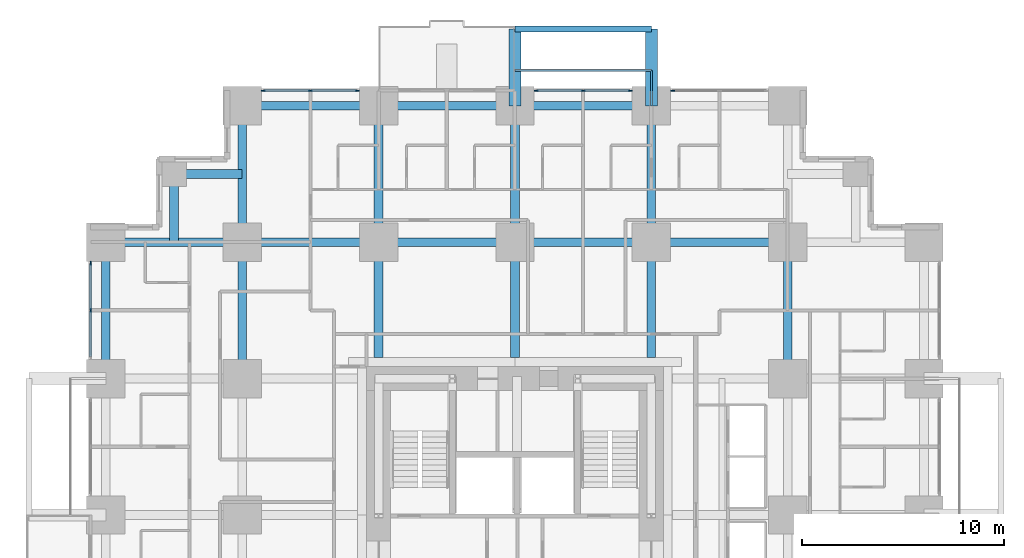
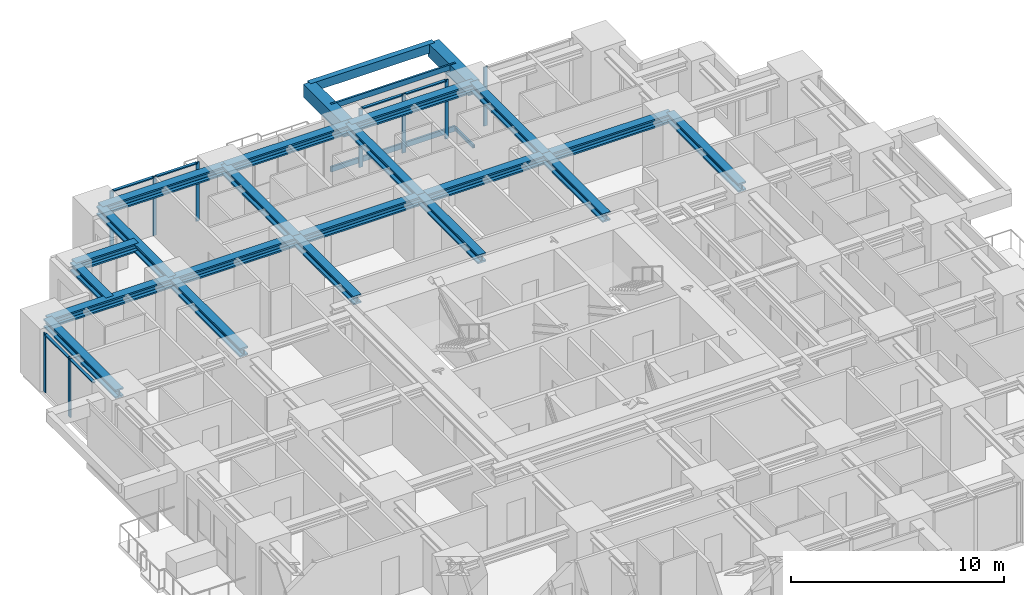
# One storey, part 5 of 15: 23 beams, 18 members, 4 elements without a shape of their own.
"""IFC4 building model written with IfcOpenShell, lengths in metres."""

from ifc_helpers import new_model, si_unit, direction, frame, origin, origin_2d, place, context, subcontext, project, spatial, rectangle, hollow_rectangle, i_section, extrude, material, material_profile, profile_set, type_object, element, aggregate, save


model = new_model("IFC4")

# Units and contexts
model_context = context("Model", 3, precision=1e-05, world=origin(), true_north=direction((0.0, 1.0)))
body_context = subcontext(model_context, "Body", "Model", "MODEL_VIEW")
ifc_project = project(units=[si_unit("LENGTHUNIT", "METRE"), si_unit("AREAUNIT", "SQUARE_METRE"), si_unit("VOLUMEUNIT", "CUBIC_METRE"), si_unit("PLANEANGLEUNIT", "RADIAN"), si_unit("MASSUNIT", "GRAM", prefix="KILO")], contexts=[model_context])

# Site, building, storey
site_placement = place(None, origin())
site = spatial("IfcSite", under=ifc_project, at=site_placement, CompositionType="ELEMENT")
building_placement = place(site_placement, origin())
building = spatial("IfcBuilding", under=site, at=building_placement, Name="Nyansa Garden Tower", CompositionType="ELEMENT")
storey_placement = place(building_placement, frame((0.0, 0.0, 25.199951171875)))
storey = spatial("IfcBuildingStorey", under=building, at=storey_placement, Name="L06", CompositionType="ELEMENT", Elevation=25.199951171875)

# Beams
ifc_material_1 = material(Name="Concrete C70/85", Category="concrete")
ifc_material_profile_1 = material_profile(ifc_material_1, rectangle(XDim=0.60009765625, YDim=0.75, at=origin_2d()), Name="RC 600x750")
ifc_profile_set_1 = profile_set([ifc_material_profile_1], Name="Concrete C70/85")
beam_type_1 = type_object("IfcBeamType", Name="Balcony cantilever beam CB1 RC 600x750", PredefinedType="BEAM", material=ifc_profile_set_1)
for number, where, z_axis, x_axis, name in (
    (1, (20.25, 40.5, 2.985107421875), (0.0, 1.0, 0.0), (-1.0, 0.0, 0.0), "Balcony cantilever beam L07"),
    (2, (27.0, 40.5, 2.985107421875), (0.0, 1.0, 0.0), (-1.0, 0.0, 0.0), "Balcony cantilever beam L07"),
):
    element("IfcBeam", number, at=place(storey_placement, frame(where, z_axis=z_axis, x_axis=x_axis)), inside=storey, type_object=beam_type_1, Name=name, PredefinedType="BEAM", context=body_context, shape_type="SweptSolid", body=[
        extrude(rectangle(XDim=0.60009765625, YDim=0.75, at=origin_2d()), origin(), (0.0, 0.0, 1.0), 3.800048828125),
    ])
ifc_material_2 = material(Name="Concrete C70/85", Category="concrete")
ifc_material_profile_2 = material_profile(ifc_material_2, rectangle(XDim=0.300048828125, YDim=0.5, at=origin_2d()), Name="RC 300x500")
ifc_profile_set_2 = profile_set([ifc_material_profile_2], Name="Concrete C70/85")
beam_type_2 = type_object("IfcBeamType", Name="Balcony edge beam BE1 RC 300x500", PredefinedType="BEAM", material=ifc_profile_set_2)
beam_1_placement = place(storey_placement, frame((20.25, 44.300048828125, 3.110107421875), z_axis=(1.0, 0.0, 0.0), x_axis=(0.0, 1.0, 0.0)))
element("IfcBeam", 3, at=beam_1_placement, inside=storey, type_object=beam_type_2, Name="Balcony edge beam L07", PredefinedType="BEAM", context=body_context, shape_type="SweptSolid", body=[
    extrude(rectangle(XDim=0.300048828125, YDim=0.5, at=origin_2d()), origin(), (0.0, 0.0, 1.0), 6.75),
])

# Curtain wall, members
ifc_material_3 = material(Name="Black anodised aluminium, dark tinted double glazing", Category="aluminium")
curtain_wall_type = type_object("IfcCurtainWallType", Name="Inner skin curtain wall ISW-A", PredefinedType="USERDEFINED", material=ifc_material_3)
curtain_wall_1_placement = place(storey_placement, origin())
curtain_wall_1 = element("IfcCurtainWall", 4, at=curtain_wall_1_placement, inside=storey, type_object=curtain_wall_type, Name="Inner skin curtain wall L06 N", ObjectType="UNITISED CURTAIN WALL", PredefinedType="USERDEFINED")
ifc_material_4 = material(Name="Black anodised aluminium", Category="aluminium")
ifc_material_profile_3 = material_profile(ifc_material_4, rectangle(XDim=0.06494140625, YDim=0.199951171875, at=origin_2d()), Name="Mullion 200x65")
ifc_profile_set_3 = profile_set([ifc_material_profile_3], Name="Black anodised aluminium")
member_type_1 = type_object("IfcMemberType", Name="Mullion ISW-A 200x65", PredefinedType="MULLION", material=ifc_profile_set_3)
member_1_placement = place(storey_placement, frame((12.449951171875, 41.25, 0.0), z_axis=(0.0, 0.0, 1.0), x_axis=(0.0, -1.0, 0.0)))
member_1 = element("IfcMember", 5, at=member_1_placement, type_object=member_type_1, Name="ISW-A mullion 1", PredefinedType="MULLION", context=body_context, shape_type="SweptSolid", body=[
    extrude(rectangle(XDim=0.06494140625, YDim=0.199951171875, at=origin_2d()), origin(), (0.0, 0.0, 1.0), 3.375),
])
member_2_placement = place(storey_placement, frame((10.125, 41.25, 0.0), z_axis=(0.0, 0.0, 1.0), x_axis=(0.0, -1.0, 0.0)))
member_2 = element("IfcMember", 6, at=member_2_placement, type_object=member_type_1, Name="ISW-A mullion 2", PredefinedType="MULLION", context=body_context, shape_type="SweptSolid", body=[
    extrude(rectangle(XDim=0.06494140625, YDim=0.199951171875, at=origin_2d()), origin(), (0.0, 0.0, 1.0), 3.375),
])
member_3_placement = place(storey_placement, frame((7.800048828125, 41.25, 0.0), z_axis=(0.0, 0.0, 1.0), x_axis=(0.0, -1.0, 0.0)))
member_3 = element("IfcMember", 7, at=member_3_placement, type_object=member_type_1, Name="ISW-A mullion 3", PredefinedType="MULLION", context=body_context, shape_type="SweptSolid", body=[
    extrude(rectangle(XDim=0.06494140625, YDim=0.199951171875, at=origin_2d()), origin(), (0.0, 0.0, 1.0), 3.375),
])

# Curtain wall, member
curtain_wall_2_placement = place(storey_placement, origin())
curtain_wall_2 = element("IfcCurtainWall", 8, at=curtain_wall_2_placement, inside=storey, type_object=curtain_wall_type, Name="Inner skin curtain wall L06 N", ObjectType="UNITISED CURTAIN WALL", PredefinedType="USERDEFINED")
member_4_placement = place(storey_placement, frame((28.050048828125, 41.25, 0.0), z_axis=(0.0, 0.0, 1.0), x_axis=(0.0, -1.0, 0.0)))
member_4 = element("IfcMember", 9, at=member_4_placement, type_object=member_type_1, Name="ISW-A mullion 3", PredefinedType="MULLION", context=body_context, shape_type="SweptSolid", body=[
    extrude(rectangle(XDim=0.06494140625, YDim=0.199951171875, at=origin_2d()), origin(), (0.0, 0.0, 1.0), 3.375),
])
aggregate(curtain_wall_2, [member_4])

# Curtain wall, members
curtain_wall_3_placement = place(storey_placement, origin())
curtain_wall_3 = element("IfcCurtainWall", 10, at=curtain_wall_3_placement, inside=storey, type_object=curtain_wall_type, Name="Inner skin curtain wall L06 N", ObjectType="UNITISED CURTAIN WALL", PredefinedType="USERDEFINED")
member_5_placement = place(storey_placement, frame((25.949951171875, 41.25, 0.0), z_axis=(0.0, 0.0, 1.0), x_axis=(0.0, -1.0, 0.0)))
member_5 = element("IfcMember", 11, at=member_5_placement, type_object=member_type_1, Name="ISW-A mullion 1", PredefinedType="MULLION", context=body_context, shape_type="SweptSolid", body=[
    extrude(rectangle(XDim=0.06494140625, YDim=0.199951171875, at=origin_2d()), origin(), (0.0, 0.0, 1.0), 3.375),
])
member_6_placement = place(storey_placement, frame((23.625, 41.25, 0.0), z_axis=(0.0, 0.0, 1.0), x_axis=(0.0, -1.0, 0.0)))
member_6 = element("IfcMember", 12, at=member_6_placement, type_object=member_type_1, Name="ISW-A mullion 2", PredefinedType="MULLION", context=body_context, shape_type="SweptSolid", body=[
    extrude(rectangle(XDim=0.06494140625, YDim=0.199951171875, at=origin_2d()), origin(), (0.0, 0.0, 1.0), 3.375),
])
member_7_placement = place(storey_placement, frame((21.300048828125, 41.25, 0.0), z_axis=(0.0, 0.0, 1.0), x_axis=(0.0, -1.0, 0.0)))
member_7 = element("IfcMember", 13, at=member_7_placement, type_object=member_type_1, Name="ISW-A mullion 3", PredefinedType="MULLION", context=body_context, shape_type="SweptSolid", body=[
    extrude(rectangle(XDim=0.06494140625, YDim=0.199951171875, at=origin_2d()), origin(), (0.0, 0.0, 1.0), 3.375),
])

curtain_wall_4_placement = place(storey_placement, origin())
curtain_wall_4 = element("IfcCurtainWall", 14, at=curtain_wall_4_placement, inside=storey, type_object=curtain_wall_type, Name="Inner skin curtain wall L06 W", ObjectType="UNITISED CURTAIN WALL", PredefinedType="USERDEFINED")
member_8_placement = place(storey_placement, frame((-0.75, 32.699951171875, 0.0), z_axis=(0.0, 0.0, 1.0), x_axis=(1.0, 0.0, 0.0)))
member_8 = element("IfcMember", 15, at=member_8_placement, type_object=member_type_1, Name="ISW-A mullion 1", PredefinedType="MULLION", context=body_context, shape_type="SweptSolid", body=[
    extrude(rectangle(XDim=0.06494140625, YDim=0.199951171875, at=origin_2d()), origin(), (0.0, 0.0, 1.0), 3.375),
])
member_9_placement = place(storey_placement, frame((-0.75, 30.375, 0.0), z_axis=(0.0, 0.0, 1.0), x_axis=(1.0, 0.0, 0.0)))
member_9 = element("IfcMember", 16, at=member_9_placement, type_object=member_type_1, Name="ISW-A mullion 2", PredefinedType="MULLION", context=body_context, shape_type="SweptSolid", body=[
    extrude(rectangle(XDim=0.06494140625, YDim=0.199951171875, at=origin_2d()), origin(), (0.0, 0.0, 1.0), 3.375),
])

# Members
ifc_material_5 = material(Name="Steel S355, black powder coated", Category="steel")
ifc_material_profile_4 = material_profile(ifc_material_5, hollow_rectangle(XDim=0.10009765625, YDim=0.199951171875, WallThickness=0.008056640625, at=origin_2d()), Name="RHS 200x100x8")
ifc_profile_set_4 = profile_set([ifc_material_profile_4], Name="Steel S355, black powder coated")
member_type_2 = type_object("IfcMemberType", Name="Outer skin bracket arm RHS 200x100x8", PredefinedType="USERDEFINED", material=ifc_profile_set_4)
member_10_placement = place(storey_placement, frame((27.0, 40.5, -0.375), z_axis=(0.0, 1.0, 0.0), x_axis=(-1.0, 0.0, 0.0)))
element("IfcMember", 17, at=member_10_placement, inside=storey, type_object=member_type_2, Name="Outer skin bracket arm", ObjectType="OUTER SKIN BRACKET", PredefinedType="USERDEFINED", context=body_context, shape_type="SweptSolid", body=[
    extrude(hollow_rectangle(XDim=0.10009765625, YDim=0.199951171875, WallThickness=0.008056640625, at=origin_2d()), origin(), (0.0, 0.0, 1.0), 1.75),
])
ifc_material_6 = material(Name="Steel S355, black powder coated", Category="steel")
ifc_material_profile_5 = material_profile(ifc_material_6, hollow_rectangle(XDim=0.10009765625, YDim=0.300048828125, WallThickness=0.010009765625, at=origin_2d()), Name="RHS 300x100x10")
ifc_profile_set_5 = profile_set([ifc_material_profile_5], Name="Steel S355, black powder coated")
member_type_3 = type_object("IfcMemberType", Name="Outer skin rail RHS 300x100x10", PredefinedType="USERDEFINED", material=ifc_profile_set_5)
for number, where, z_axis, x_axis, name in (
    (18, (20.25, 42.25, -0.375), (1.0, 0.0, 0.0), (0.0, 1.0, 0.0), "Outer skin rail L06"),
    (19, (20.25, 42.25, 3.22509765625), (1.0, 0.0, 0.0), (0.0, 1.0, 0.0), "Outer skin rail L06 head"),
):
    element("IfcMember", number, at=place(storey_placement, frame(where, z_axis=z_axis, x_axis=x_axis)), inside=storey, type_object=member_type_3, Name=name, ObjectType="OUTER SKIN RAIL", PredefinedType="USERDEFINED", context=body_context, shape_type="SweptSolid", body=[
        extrude(hollow_rectangle(XDim=0.10009765625, YDim=0.300048828125, WallThickness=0.010009765625, at=origin_2d()), origin(), (0.0, 0.0, 1.0), 6.75),
    ])

# Beams
ifc_material_7 = material(Name="Steel S355", Category="steel")
ifc_material_profile_6 = material_profile(ifc_material_7, i_section(OverallWidth=0.431884765625, OverallDepth=0.498046875, WebThickness=0.0556640625, FlangeThickness=0.0888671875, FilletRadius=0.014892578125, at=origin_2d()), Name="HD 400x744")
ifc_profile_set_6 = profile_set([ifc_material_profile_6], Name="Steel S355")
beam_type_3 = type_object("IfcBeamType", Name="Steel beam SBA1-744 HD 400x744", PredefinedType="BEAM", material=ifc_profile_set_6)
for number, where, z_axis, x_axis, name in (
    (20, (0.0, 33.75, 3.1259765625), (1.0, 0.0, 0.0), (0.0, 1.0, 0.0), "Steel beam 2/J-3/J L07"),
    (21, (6.75, 27.0, 3.1259765625), (0.0, 1.0, 0.0), (-1.0, 0.0, 0.0), "Steel beam 3/H-3/J L07"),
    (22, (6.75, 33.75, 3.1259765625), (0.0, 1.0, 0.0), (-1.0, 0.0, 0.0), "Steel beam 3/J-3/K L07"),
    (23, (6.75, 33.75, 3.1259765625), (1.0, 0.0, 0.0), (0.0, 1.0, 0.0), "Steel beam 3/J-4/J L07"),
):
    element("IfcBeam", number, at=place(storey_placement, frame(where, z_axis=z_axis, x_axis=x_axis)), inside=storey, type_object=beam_type_3, Name=name, PredefinedType="BEAM", context=body_context, shape_type="SweptSolid", body=[
        extrude(i_section(OverallWidth=0.431884765625, OverallDepth=0.498046875, WebThickness=0.0556640625, FlangeThickness=0.0888671875, FilletRadius=0.014892578125, at=origin_2d()), origin(), (0.0, 0.0, 1.0), 6.75),
    ])
beam_2_placement = place(storey_placement, frame((13.5, 28.050048828125, 3.1259765625), z_axis=(0.0, 1.0, 0.0), x_axis=(-1.0, 0.0, 0.0)))
element("IfcBeam", 24, at=beam_2_placement, inside=storey, type_object=beam_type_3, Name="Steel beam 4/28.050-4/J L07", PredefinedType="BEAM", context=body_context, shape_type="SweptSolid", body=[
    extrude(i_section(OverallWidth=0.431884765625, OverallDepth=0.498046875, WebThickness=0.0556640625, FlangeThickness=0.0888671875, FilletRadius=0.014892578125, at=origin_2d()), origin(), (0.0, 0.0, 1.0), 5.699951171875),
])
for number, where, z_axis, x_axis, name in (
    (25, (13.5, 33.75, 3.1259765625), (0.0, 1.0, 0.0), (-1.0, 0.0, 0.0), "Steel beam 4/J-4/K L07"),
    (26, (13.5, 33.75, 3.1259765625), (1.0, 0.0, 0.0), (0.0, 1.0, 0.0), "Steel beam 4/J-5/J L07"),
):
    element("IfcBeam", number, at=place(storey_placement, frame(where, z_axis=z_axis, x_axis=x_axis)), inside=storey, type_object=beam_type_3, Name=name, PredefinedType="BEAM", context=body_context, shape_type="SweptSolid", body=[
        extrude(i_section(OverallWidth=0.431884765625, OverallDepth=0.498046875, WebThickness=0.0556640625, FlangeThickness=0.0888671875, FilletRadius=0.014892578125, at=origin_2d()), origin(), (0.0, 0.0, 1.0), 6.75),
    ])
beam_3_placement = place(storey_placement, frame((20.25, 28.050048828125, 3.1259765625), z_axis=(0.0, 1.0, 0.0), x_axis=(-1.0, 0.0, 0.0)))
element("IfcBeam", 27, at=beam_3_placement, inside=storey, type_object=beam_type_3, Name="Steel beam 5/28.050-5/J L07", PredefinedType="BEAM", context=body_context, shape_type="SweptSolid", body=[
    extrude(i_section(OverallWidth=0.431884765625, OverallDepth=0.498046875, WebThickness=0.0556640625, FlangeThickness=0.0888671875, FilletRadius=0.014892578125, at=origin_2d()), origin(), (0.0, 0.0, 1.0), 5.699951171875),
])
for number, where, z_axis, x_axis, name in (
    (28, (20.25, 33.75, 3.1259765625), (0.0, 1.0, 0.0), (-1.0, 0.0, 0.0), "Steel beam 5/J-5/K L07"),
    (29, (20.25, 33.75, 3.1259765625), (1.0, 0.0, 0.0), (0.0, 1.0, 0.0), "Steel beam 5/J-6/J L07"),
):
    element("IfcBeam", number, at=place(storey_placement, frame(where, z_axis=z_axis, x_axis=x_axis)), inside=storey, type_object=beam_type_3, Name=name, PredefinedType="BEAM", context=body_context, shape_type="SweptSolid", body=[
        extrude(i_section(OverallWidth=0.431884765625, OverallDepth=0.498046875, WebThickness=0.0556640625, FlangeThickness=0.0888671875, FilletRadius=0.014892578125, at=origin_2d()), origin(), (0.0, 0.0, 1.0), 6.75),
    ])
beam_4_placement = place(storey_placement, frame((27.0, 28.050048828125, 3.1259765625), z_axis=(0.0, 1.0, 0.0), x_axis=(-1.0, 0.0, 0.0)))
element("IfcBeam", 30, at=beam_4_placement, inside=storey, type_object=beam_type_3, Name="Steel beam 6/28.050-6/J L07", PredefinedType="BEAM", context=body_context, shape_type="SweptSolid", body=[
    extrude(i_section(OverallWidth=0.431884765625, OverallDepth=0.498046875, WebThickness=0.0556640625, FlangeThickness=0.0888671875, FilletRadius=0.014892578125, at=origin_2d()), origin(), (0.0, 0.0, 1.0), 5.699951171875),
])
for number, where, z_axis, x_axis, name in (
    (31, (27.0, 33.75, 3.1259765625), (0.0, 1.0, 0.0), (-1.0, 0.0, 0.0), "Steel beam 6/J-6/K L07"),
    (32, (27.0, 33.75, 3.1259765625), (1.0, 0.0, 0.0), (0.0, 1.0, 0.0), "Steel beam 6/J-7/J L07"),
    (33, (33.75, 27.0, 3.1259765625), (0.0, 1.0, 0.0), (-1.0, 0.0, 0.0), "Steel beam 7/H-7/J L07"),
):
    element("IfcBeam", number, at=place(storey_placement, frame(where, z_axis=z_axis, x_axis=x_axis)), inside=storey, type_object=beam_type_3, Name=name, PredefinedType="BEAM", context=body_context, shape_type="SweptSolid", body=[
        extrude(i_section(OverallWidth=0.431884765625, OverallDepth=0.498046875, WebThickness=0.0556640625, FlangeThickness=0.0888671875, FilletRadius=0.014892578125, at=origin_2d()), origin(), (0.0, 0.0, 1.0), 6.75),
    ])
ifc_material_8 = material(Name="Steel S355", Category="steel")
ifc_material_profile_7 = material_profile(ifc_material_8, i_section(OverallWidth=0.431884765625, OverallDepth=0.498046875, WebThickness=0.0556640625, FlangeThickness=0.0888671875, FilletRadius=0.014892578125, at=origin_2d()), Name="HD 400x744")
ifc_profile_set_7 = profile_set([ifc_material_profile_7], Name="Steel S355")
beam_type_4 = type_object("IfcBeamType", Name="Steel beam SEBA-744 HD 400x744", PredefinedType="BEAM", material=ifc_profile_set_7)
for number, where, z_axis, x_axis, name in (
    (34, (0.0, 27.0, 3.1259765625), (0.0, 1.0, 0.0), (-1.0, 0.0, 0.0), "Steel edge beam 2/H-2/J L07"),
    (35, (6.75, 40.5, 3.1259765625), (1.0, 0.0, 0.0), (0.0, 1.0, 0.0), "Steel edge beam 3/K-4/K L07"),
    (36, (13.5, 40.5, 3.1259765625), (1.0, 0.0, 0.0), (0.0, 1.0, 0.0), "Steel edge beam 4/K-5/K L07"),
    (37, (20.25, 40.5, 3.1259765625), (1.0, 0.0, 0.0), (0.0, 1.0, 0.0), "Steel edge beam 5/K-6/K L07"),
):
    element("IfcBeam", number, at=place(storey_placement, frame(where, z_axis=z_axis, x_axis=x_axis)), inside=storey, type_object=beam_type_4, Name=name, PredefinedType="BEAM", context=body_context, shape_type="SweptSolid", body=[
        extrude(i_section(OverallWidth=0.431884765625, OverallDepth=0.498046875, WebThickness=0.0556640625, FlangeThickness=0.0888671875, FilletRadius=0.014892578125, at=origin_2d()), origin(), (0.0, 0.0, 1.0), 6.75),
    ])
ifc_material_9 = material(Name="Steel S355", Category="steel")
ifc_material_profile_8 = material_profile(ifc_material_9, i_section(OverallWidth=0.431884765625, OverallDepth=0.498046875, WebThickness=0.0556640625, FlangeThickness=0.0888671875, FilletRadius=0.014892578125, at=origin_2d()), Name="HD 400x744")
ifc_profile_set_8 = profile_set([ifc_material_profile_8], Name="Steel S355")
beam_type_5 = type_object("IfcBeamType", Name="Steel beam SSB1-744 HD 400x744", PredefinedType="BEAM", material=ifc_profile_set_8)
for number, where, z_axis, x_axis, name in (
    (38, (3.375, 37.125, 3.1259765625), (0.0, -1.0, 0.0), (1.0, 0.0, 0.0), "Steel step beam 3.375/37.125 L07"),
    (39, (3.375, 37.125, 3.1259765625), (1.0, 0.0, 0.0), (0.0, 1.0, 0.0), "Steel step beam 3.375/37.125 L07"),
):
    element("IfcBeam", number, at=place(storey_placement, frame(where, z_axis=z_axis, x_axis=x_axis)), inside=storey, type_object=beam_type_5, Name=name, PredefinedType="BEAM", context=body_context, shape_type="SweptSolid", body=[
        extrude(i_section(OverallWidth=0.431884765625, OverallDepth=0.498046875, WebThickness=0.0556640625, FlangeThickness=0.0888671875, FilletRadius=0.014892578125, at=origin_2d()), origin(), (0.0, 0.0, 1.0), 3.375),
    ])

# Member
ifc_material_10 = material(Name="Black anodised aluminium", Category="aluminium")
ifc_material_profile_9 = material_profile(ifc_material_10, rectangle(XDim=0.14990234375, YDim=0.06494140625, at=origin_2d()), Name="Transom 150x65")
ifc_profile_set_9 = profile_set([ifc_material_profile_9], Name="Black anodised aluminium")
member_type_4 = type_object("IfcMemberType", Name="Transom ISW-A 150x65", PredefinedType="USERDEFINED", material=ifc_profile_set_9)
member_11_placement = place(storey_placement, frame((12.41748046875, 41.25, 3.342529296875), z_axis=(-1.0, 0.0, 0.0), x_axis=(0.0, -1.0, 0.0)))
member_11 = element("IfcMember", 40, at=member_11_placement, type_object=member_type_4, Name="ISW-A transom 1", ObjectType="TRANSOM", PredefinedType="USERDEFINED", context=body_context, shape_type="SweptSolid", body=[
    extrude(rectangle(XDim=0.14990234375, YDim=0.06494140625, at=origin_2d()), origin(), (0.0, 0.0, 1.0), 2.260009765625),
])

member_12_placement = place(storey_placement, frame((10.092529296875, 41.25, 3.342529296875), z_axis=(-1.0, 0.0, 0.0), x_axis=(0.0, -1.0, 0.0)))
member_12 = element("IfcMember", 41, at=member_12_placement, type_object=member_type_4, Name="ISW-A transom 2", ObjectType="TRANSOM", PredefinedType="USERDEFINED", context=body_context, shape_type="SweptSolid", body=[
    extrude(rectangle(XDim=0.14990234375, YDim=0.06494140625, at=origin_2d()), origin(), (0.0, 0.0, 1.0), 2.260009765625),
])

aggregate(curtain_wall_1, [member_1, member_2, member_3, member_11, member_12])

member_13_placement = place(storey_placement, frame((25.91748046875, 41.25, 3.342529296875), z_axis=(-1.0, 0.0, 0.0), x_axis=(0.0, -1.0, 0.0)))
member_13 = element("IfcMember", 42, at=member_13_placement, type_object=member_type_4, Name="ISW-A transom 1", ObjectType="TRANSOM", PredefinedType="USERDEFINED", context=body_context, shape_type="SweptSolid", body=[
    extrude(rectangle(XDim=0.14990234375, YDim=0.06494140625, at=origin_2d()), origin(), (0.0, 0.0, 1.0), 2.260009765625),
])

member_14_placement = place(storey_placement, frame((23.592529296875, 41.25, 3.342529296875), z_axis=(-1.0, 0.0, 0.0), x_axis=(0.0, -1.0, 0.0)))
member_14 = element("IfcMember", 43, at=member_14_placement, type_object=member_type_4, Name="ISW-A transom 2", ObjectType="TRANSOM", PredefinedType="USERDEFINED", context=body_context, shape_type="SweptSolid", body=[
    extrude(rectangle(XDim=0.14990234375, YDim=0.06494140625, at=origin_2d()), origin(), (0.0, 0.0, 1.0), 2.260009765625),
])

aggregate(curtain_wall_3, [member_5, member_6, member_7, member_13, member_14])

member_15_placement = place(storey_placement, frame((-0.75, 32.66748046875, 3.342529296875), z_axis=(0.0, -1.0, 0.0), x_axis=(1.0, 0.0, 0.0)))
member_15 = element("IfcMember", 44, at=member_15_placement, type_object=member_type_4, Name="ISW-A transom 1", ObjectType="TRANSOM", PredefinedType="USERDEFINED", context=body_context, shape_type="SweptSolid", body=[
    extrude(rectangle(XDim=0.14990234375, YDim=0.06494140625, at=origin_2d()), origin(), (0.0, 0.0, 1.0), 2.260009765625),
])

member_16_placement = place(storey_placement, frame((-0.75, 30.342529296875, 3.342529296875), z_axis=(0.0, -1.0, 0.0), x_axis=(1.0, 0.0, 0.0)))
member_16 = element("IfcMember", 45, at=member_16_placement, type_object=member_type_4, Name="ISW-A transom 2", ObjectType="TRANSOM", PredefinedType="USERDEFINED", context=body_context, shape_type="SweptSolid", body=[
    extrude(rectangle(XDim=0.14990234375, YDim=0.06494140625, at=origin_2d()), origin(), (0.0, 0.0, 1.0), 2.260009765625),
])

aggregate(curtain_wall_4, [member_8, member_9, member_15, member_16])

save(model, "model.ifc")
